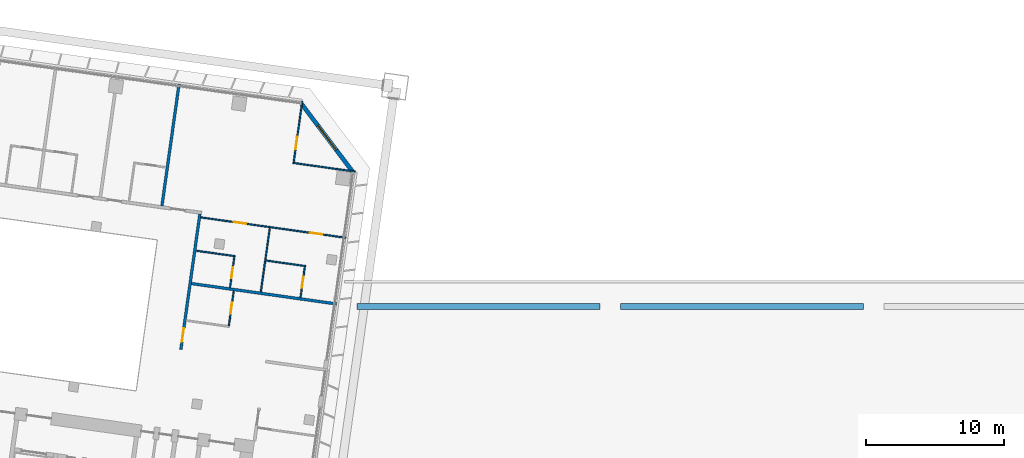
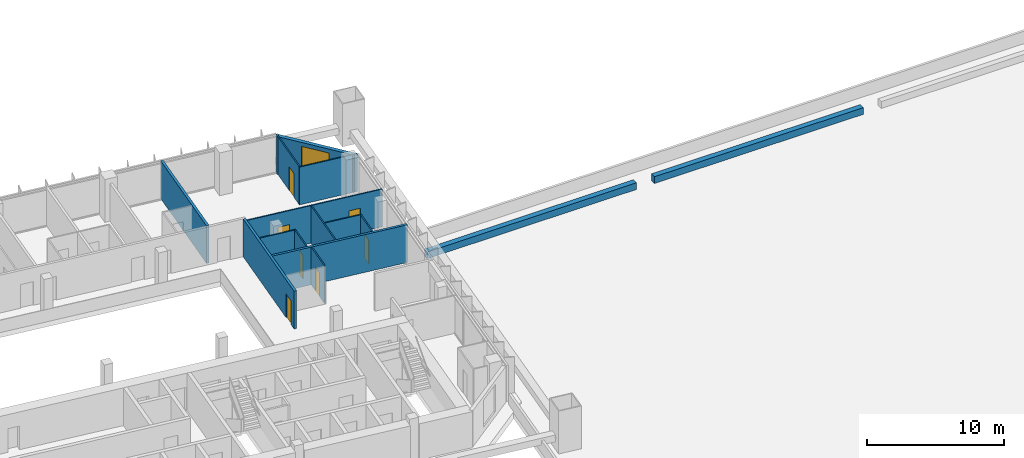
# One storey, part 31 of 46: 15 walls, 7 doors, 1 window, 8 openings.
"""IFC4 building model written with IfcOpenShell, lengths in metres."""

from ifc_helpers import new_model, si_unit, direction, frame, frame_2d, origin, place, context, subcontext, project, spatial, rectangle, extrude, material, layer, layer_set, type_object, element, fill, save


model = new_model("IFC4")

# Units and contexts
model_context = context("Model", 3, precision=1e-05, world=origin(), true_north=direction((0.0, 1.0)))
body_context = subcontext(model_context, "Body", "Model", "MODEL_VIEW")
ifc_project = project(units=[si_unit("LENGTHUNIT", "METRE"), si_unit("AREAUNIT", "SQUARE_METRE"), si_unit("VOLUMEUNIT", "CUBIC_METRE"), si_unit("PLANEANGLEUNIT", "RADIAN"), si_unit("MASSUNIT", "GRAM", prefix="KILO")], contexts=[model_context])

# Site, building, storey
site_placement = place(None, origin())
site = spatial("IfcSite", under=ifc_project, at=site_placement, CompositionType="ELEMENT")
building_placement = place(site_placement, origin())
building = spatial("IfcBuilding", under=site, at=building_placement, Name="Mirante Cascada Hotel Towers", CompositionType="ELEMENT")
storey_placement = place(building_placement, frame((0.0, 0.0, 39.5)))
storey = spatial("IfcBuildingStorey", under=building, at=storey_placement, Name="L06", CompositionType="ELEMENT", Elevation=39.5)

# Wall
ifc_material_1 = material(Name="Fire-rated plasterboard on metal studs")
ifc_layer_1 = layer(ifc_material_1, 0.2)
ifc_layer_set_1 = layer_set([ifc_layer_1], Name="Compartment wall 200 EI 120")
wall_type_1 = type_object("IfcWallType", Name="Compartment wall 200 EI 120", PredefinedType="PARTITIONING", material=ifc_layer_set_1)
wall_1_placement = place(storey_placement, frame((-29.3273, 2.7863, 0.0), z_axis=(0.0, 0.0, 1.0), x_axis=(-0.9902686, 0.1391691, 0.0)))
element("IfcWall", 1, at=wall_1_placement, inside=storey, type_object=wall_type_1, Name="Wall 1-L06-13", PredefinedType="PARTITIONING", context=body_context, shape_type="SweptSolid", body=[
    extrude(rectangle(XDim=10.6001, YDim=0.2, at=frame_2d((5.3, 0.0))), origin(), (0.0, 0.0, 1.0), 3.35),
])

# Wall, opening, door
wall_2_placement = place(storey_placement, frame((-39.2181, 9.2928, 0.0), z_axis=(0.0, 0.0, 1.0), x_axis=(-0.1391725, -0.9902682, 0.0)))
wall_2 = element("IfcWall", 2, at=wall_2_placement, inside=storey, type_object=wall_type_1, Name="Wall 1-L06-34", PredefinedType="PARTITIONING", context=body_context, shape_type="SweptSolid", body=[
    extrude(rectangle(XDim=9.8999, YDim=0.2, at=frame_2d((4.95, 0.0))), origin(), (0.0, 0.0, 1.0), 3.35),
])
opening_1_placement = place(wall_2_placement, frame((8.3333, 0.0, 0.0)))
opening_1 = element("IfcOpeningElement", 3, at=opening_1_placement, cuts=wall_2, Name="Opening D1-L06-33", PredefinedType="OPENING", context=body_context, shape_type="SweptSolid", body=[
    extrude(rectangle(XDim=1.0, YDim=2.1, at=frame_2d((0.5, 1.05))), frame((0.0, 0.1, 0.0), z_axis=(0.0, -1.0, 0.0), x_axis=(1.0, 0.0, 0.0)), (0.0, 0.0, 1.0), 0.2),
])
ifc_material_2 = material(Name="Fire-rated timber door leaf", Category="wood")
door_type_1 = type_object("IfcDoorType", Name="Entrance door DG1 1000x2100 EI 60", OperationType="SINGLE_SWING_LEFT", PredefinedType="DOOR", material=ifc_material_2)
door_1_placement = place(opening_1_placement, origin())
door_1 = element("IfcDoor", 4, at=door_1_placement, inside=storey, type_object=door_type_1, Name="Door D1-L06-33", OperationType="SINGLE_SWING_LEFT", OverallHeight=2.1, OverallWidth=1.0, PredefinedType="DOOR", context=body_context, shape_type="SweptSolid", body=[
    extrude(rectangle(XDim=1.0, YDim=2.1, at=frame_2d((0.5, 1.05))), frame((0.0, 0.025, 0.0), z_axis=(0.0, -1.0, 0.0), x_axis=(1.0, 0.0, 0.0)), (0.0, 0.0, 1.0), 0.05),
])
fill(opening_1, door_1)

# Walls
wall_3_placement = place(storey_placement, frame((-41.963, 9.8805, 0.0), z_axis=(0.0, 0.0, 1.0), x_axis=(0.1391794, 0.9902672, 0.0)))
element("IfcWall", 5, at=wall_3_placement, inside=storey, type_object=wall_type_1, Name="Wall 1-L06-35", PredefinedType="PARTITIONING", context=body_context, shape_type="SweptSolid", body=[
    extrude(rectangle(XDim=8.9, YDim=0.2, at=frame_2d((4.45, 0.0))), origin(), (0.0, 0.0, 1.0), 3.35),
])
ifc_material_3 = material(Name="Plasterboard on metal studs")
ifc_layer_2 = layer(ifc_material_3, 0.1)
ifc_layer_set_2 = layer_set([ifc_layer_2], Name="Partition 100")
wall_type_2 = type_object("IfcWallType", Name="Partition 100", PredefinedType="PARTITIONING", material=ifc_layer_set_2)
wall_4_placement = place(storey_placement, frame((-31.568, 5.5248, 0.0), z_axis=(0.0, 0.0, 1.0), x_axis=(-0.9902683, 0.1391714, 0.0)))
element("IfcWall", 6, at=wall_4_placement, inside=storey, type_object=wall_type_2, Name="Wall 1-L06-15", PredefinedType="PARTITIONING", context=body_context, shape_type="SweptSolid", body=[
    extrude(rectangle(XDim=2.9, YDim=0.1, at=frame_2d((1.45, 0.0))), origin(), (0.0, 0.0, 1.0), 3.35),
])
wall_5_placement = place(storey_placement, frame((-39.4902, 6.6381, 0.0), z_axis=(0.0, 0.0, 1.0), x_axis=(0.9902704, -0.1391564, 0.0)))
element("IfcWall", 7, at=wall_5_placement, inside=storey, type_object=wall_type_2, Name="Wall 1-L06-16", PredefinedType="PARTITIONING", context=body_context, shape_type="SweptSolid", body=[
    extrude(rectangle(XDim=2.85, YDim=0.1, at=frame_2d((1.425, 0.0))), origin(), (0.0, 0.0, 1.0), 3.35),
])

# Wall, openings, doors
wall_6_placement = place(storey_placement, frame((-28.6547, 7.5726, 0.0), z_axis=(0.0, 0.0, 1.0), x_axis=(-0.9902671, 0.1391797, 0.0)))
wall_6 = element("IfcWall", 8, at=wall_6_placement, inside=storey, type_object=wall_type_2, Name="Wall 1-L06-17", PredefinedType="PARTITIONING", context=body_context, shape_type="SweptSolid", body=[
    extrude(rectangle(XDim=10.6, YDim=0.1, at=frame_2d((5.3, 0.0))), origin(), (0.0, 0.0, 1.0), 3.35),
])
opening_2_placement = place(wall_6_placement, frame((1.725, 0.0, 0.0)))
opening_2 = element("IfcOpeningElement", 9, at=opening_2_placement, cuts=wall_6, Name="Opening D1-L06-07", PredefinedType="OPENING", context=body_context, shape_type="SweptSolid", body=[
    extrude(rectangle(XDim=0.9, YDim=2.1, at=frame_2d((0.45, 1.05))), frame((0.0, 0.05, 0.0), z_axis=(0.0, -1.0, 0.0), x_axis=(1.0, 0.0, 0.0)), (0.0, 0.0, 1.0), 0.1),
])
opening_3_placement = place(wall_6_placement, frame((7.275, 0.0, 0.0)))
opening_3 = element("IfcOpeningElement", 10, at=opening_3_placement, cuts=wall_6, Name="Opening D1-L06-08", PredefinedType="OPENING", context=body_context, shape_type="SweptSolid", body=[
    extrude(rectangle(XDim=0.9, YDim=2.1, at=frame_2d((0.45, 1.05))), frame((0.0, 0.05, 0.0), z_axis=(0.0, -1.0, 0.0), x_axis=(1.0, 0.0, 0.0)), (0.0, 0.0, 1.0), 0.1),
])
ifc_material_4 = material(Name="Timber door leaf", Category="wood")
door_type_2 = type_object("IfcDoorType", Name="Room door DG3 900x2100", OperationType="SINGLE_SWING_LEFT", PredefinedType="DOOR", material=ifc_material_4)
door_2_placement = place(opening_2_placement, frame((0.9, 0.0, 0.0), z_axis=(0.0, 0.0, 1.0), x_axis=(-1.0, 0.0, 0.0)))
door_2 = element("IfcDoor", 11, at=door_2_placement, inside=storey, type_object=door_type_2, Name="Door D1-L06-07", OperationType="SINGLE_SWING_RIGHT", OverallHeight=2.1, OverallWidth=0.9, PredefinedType="DOOR", context=body_context, shape_type="SweptSolid", body=[
    extrude(rectangle(XDim=0.9, YDim=2.1, at=frame_2d((0.45, 1.05))), frame((0.0, 0.025, 0.0), z_axis=(0.0, -1.0, 0.0), x_axis=(1.0, 0.0, 0.0)), (0.0, 0.0, 1.0), 0.05),
])
fill(opening_2, door_2)
door_3_placement = place(opening_3_placement, frame((0.9, 0.0, 0.0), z_axis=(0.0, 0.0, 1.0), x_axis=(-1.0, 0.0, 0.0)))
door_3 = element("IfcDoor", 12, at=door_3_placement, inside=storey, type_object=door_type_2, Name="Door D1-L06-08", OperationType="SINGLE_SWING_RIGHT", OverallHeight=2.1, OverallWidth=0.9, PredefinedType="DOOR", context=body_context, shape_type="SweptSolid", body=[
    extrude(rectangle(XDim=0.9, YDim=2.1, at=frame_2d((0.45, 1.05))), frame((0.0, 0.025, 0.0), z_axis=(0.0, -1.0, 0.0), x_axis=(1.0, 0.0, 0.0)), (0.0, 0.0, 1.0), 0.05),
])
fill(opening_3, door_3)

# Wall
wall_7_placement = place(storey_placement, frame((-32.4877, 12.9921, 0.0), z_axis=(0.0, 0.0, 1.0), x_axis=(0.9902691, -0.1391656, 0.0)))
element("IfcWall", 13, at=wall_7_placement, inside=storey, type_object=wall_type_2, Name="Wall 1-L06-26", PredefinedType="PARTITIONING", context=body_context, shape_type="SweptSolid", body=[
    extrude(rectangle(XDim=4.55, YDim=0.1, at=frame_2d((2.275, 0.0))), origin(), (0.0, 0.0, 1.0), 3.35),
])

# Wall, opening, door
wall_8_placement = place(storey_placement, frame((-31.6245, 5.4822, 0.0), z_axis=(0.0, 0.0, 1.0), x_axis=(-0.1391561, -0.9902705, 0.0)))
wall_8 = element("IfcWall", 14, at=wall_8_placement, inside=storey, type_object=wall_type_2, Name="Wall 1-L06-28", PredefinedType="PARTITIONING", context=body_context, shape_type="SweptSolid", body=[
    extrude(rectangle(XDim=2.25, YDim=0.1, at=frame_2d((1.125, 0.0))), origin(), (0.0, 0.0, 1.0), 3.35),
])
opening_4_placement = place(wall_8_placement, frame((0.75, 0.0, 0.0)))
opening_4 = element("IfcOpeningElement", 15, at=opening_4_placement, cuts=wall_8, Name="Opening D1-L06-28", PredefinedType="OPENING", context=body_context, shape_type="SweptSolid", body=[
    extrude(rectangle(XDim=0.8, YDim=2.1, at=frame_2d((0.4, 1.05))), frame((0.0, 0.05, 0.0), z_axis=(0.0, -1.0, 0.0), x_axis=(1.0, 0.0, 0.0)), (0.0, 0.0, 1.0), 0.1),
])
ifc_material_5 = material(Name="Timber door leaf", Category="wood")
door_type_3 = type_object("IfcDoorType", Name="Bathroom door DG4 800x2100", OperationType="SINGLE_SWING_LEFT", PredefinedType="DOOR", material=ifc_material_5)
door_4_placement = place(opening_4_placement, frame((0.8, 0.0, 0.0), z_axis=(0.0, 0.0, 1.0), x_axis=(-1.0, 0.0, 0.0)))
door_4 = element("IfcDoor", 16, at=door_4_placement, inside=storey, type_object=door_type_3, Name="Door D1-L06-28", OperationType="SINGLE_SWING_RIGHT", OverallHeight=2.1, OverallWidth=0.8, PredefinedType="DOOR", context=body_context, shape_type="SweptSolid", body=[
    extrude(rectangle(XDim=0.8, YDim=2.1, at=frame_2d((0.4, 1.05))), frame((0.0, 0.025, 0.0), z_axis=(0.0, -1.0, 0.0), x_axis=(1.0, 0.0, 0.0)), (0.0, 0.0, 1.0), 0.05),
])
fill(opening_4, door_4)

wall_9_placement = place(storey_placement, frame((-31.8119, 17.4414, 0.0), z_axis=(0.0, 0.0, 1.0), x_axis=(-0.1391684, -0.9902687, 0.0)))
wall_9 = element("IfcWall", 17, at=wall_9_placement, inside=storey, type_object=wall_type_2, Name="Wall 1-L06-30", PredefinedType="PARTITIONING", context=body_context, shape_type="SweptSolid", body=[
    extrude(rectangle(XDim=4.45, YDim=0.1, at=frame_2d((2.225, 0.0))), origin(), (0.0, 0.0, 1.0), 3.35),
])
opening_5_placement = place(wall_9_placement, frame((2.5833, 0.0, 0.0)))
opening_5 = element("IfcOpeningElement", 18, at=opening_5_placement, cuts=wall_9, Name="Opening D1-L06-30", PredefinedType="OPENING", context=body_context, shape_type="SweptSolid", body=[
    extrude(rectangle(XDim=0.9, YDim=2.1, at=frame_2d((0.45, 1.05))), frame((0.0, 0.05, 0.0), z_axis=(0.0, -1.0, 0.0), x_axis=(1.0, 0.0, 0.0)), (0.0, 0.0, 1.0), 0.1),
])
door_5_placement = place(opening_5_placement, frame((0.9, 0.0, 0.0), z_axis=(0.0, 0.0, 1.0), x_axis=(-1.0, 0.0, 0.0)))
door_5 = element("IfcDoor", 19, at=door_5_placement, inside=storey, type_object=door_type_2, Name="Door D1-L06-30", OperationType="SINGLE_SWING_RIGHT", OverallHeight=2.1, OverallWidth=0.9, PredefinedType="DOOR", context=body_context, shape_type="SweptSolid", body=[
    extrude(rectangle(XDim=0.9, YDim=2.1, at=frame_2d((0.45, 1.05))), frame((0.0, 0.025, 0.0), z_axis=(0.0, -1.0, 0.0), x_axis=(1.0, 0.0, 0.0)), (0.0, 0.0, 1.0), 0.05),
])
fill(opening_5, door_5)

# Wall
wall_10_placement = place(storey_placement, frame((-34.8094, 3.6577, 0.0), z_axis=(0.0, 0.0, 1.0), x_axis=(0.139173, 0.9902681, 0.0)))
element("IfcWall", 20, at=wall_10_placement, inside=storey, type_object=wall_type_2, Name="Wall 1-L06-31", PredefinedType="PARTITIONING", context=body_context, shape_type="SweptSolid", body=[
    extrude(rectangle(XDim=4.6834, YDim=0.1, at=frame_2d((2.3417, 0.0))), origin(), (0.0, 0.0, 1.0), 3.35),
])

# Wall, opening, door
wall_11_placement = place(storey_placement, frame((-36.7683, 3.731, 0.0), z_axis=(0.0, 0.0, 1.0), x_axis=(-0.1391809, -0.990267, 0.0)))
wall_11 = element("IfcWall", 21, at=wall_11_placement, inside=storey, type_object=wall_type_2, Name="Wall 1-L06-32", PredefinedType="PARTITIONING", context=body_context, shape_type="SweptSolid", body=[
    extrude(rectangle(XDim=2.5499, YDim=0.1, at=frame_2d((1.275, 0.0))), origin(), (0.0, 0.0, 1.0), 3.35),
])
opening_6_placement = place(wall_11_placement, frame((0.85, 0.0, 0.0)))
opening_6 = element("IfcOpeningElement", 22, at=opening_6_placement, cuts=wall_11, Name="Opening D1-L06-31", PredefinedType="OPENING", context=body_context, shape_type="SweptSolid", body=[
    extrude(rectangle(XDim=0.8, YDim=2.1, at=frame_2d((0.4, 1.05))), frame((0.0, 0.05, 0.0), z_axis=(0.0, -1.0, 0.0), x_axis=(1.0, 0.0, 0.0)), (0.0, 0.0, 1.0), 0.1),
])
door_6_placement = place(opening_6_placement, origin())
door_6 = element("IfcDoor", 23, at=door_6_placement, inside=storey, type_object=door_type_3, Name="Door D1-L06-31", OperationType="SINGLE_SWING_LEFT", OverallHeight=2.1, OverallWidth=0.8, PredefinedType="DOOR", context=body_context, shape_type="SweptSolid", body=[
    extrude(rectangle(XDim=0.8, YDim=2.1, at=frame_2d((0.4, 1.05))), frame((0.0, 0.025, 0.0), z_axis=(0.0, -1.0, 0.0), x_axis=(1.0, 0.0, 0.0)), (0.0, 0.0, 1.0), 0.05),
])
fill(opening_6, door_6)

wall_12_placement = place(storey_placement, frame((-37.0375, 3.9708, 0.0), z_axis=(0.0, 0.0, 1.0), x_axis=(0.1391561, 0.9902705, 0.0)))
wall_12 = element("IfcWall", 24, at=wall_12_placement, inside=storey, type_object=wall_type_2, Name="Wall 1-L06-33", PredefinedType="PARTITIONING", context=body_context, shape_type="SweptSolid", body=[
    extrude(rectangle(XDim=2.25, YDim=0.1, at=frame_2d((1.125, 0.0))), origin(), (0.0, 0.0, 1.0), 3.35),
])
opening_7_placement = place(wall_12_placement, frame((0.7, 0.0, 0.0)))
opening_7 = element("IfcOpeningElement", 25, at=opening_7_placement, cuts=wall_12, Name="Opening D1-L06-32", PredefinedType="OPENING", context=body_context, shape_type="SweptSolid", body=[
    extrude(rectangle(XDim=0.8, YDim=2.1, at=frame_2d((0.4, 1.05))), frame((0.0, 0.05, 0.0), z_axis=(0.0, -1.0, 0.0), x_axis=(1.0, 0.0, 0.0)), (0.0, 0.0, 1.0), 0.1),
])
door_7_placement = place(opening_7_placement, origin())
door_7 = element("IfcDoor", 26, at=door_7_placement, inside=storey, type_object=door_type_3, Name="Door D1-L06-32", OperationType="SINGLE_SWING_LEFT", OverallHeight=2.1, OverallWidth=0.8, PredefinedType="DOOR", context=body_context, shape_type="SweptSolid", body=[
    extrude(rectangle(XDim=0.8, YDim=2.1, at=frame_2d((0.4, 1.05))), frame((0.0, 0.025, 0.0), z_axis=(0.0, -1.0, 0.0), x_axis=(1.0, 0.0, 0.0)), (0.0, 0.0, 1.0), 0.05),
])
fill(opening_7, door_7)

# Walls
ifc_material_6 = material(Name="Precast concrete C40/50", Category="concrete")
ifc_layer_3 = layer(ifc_material_6, 0.45)
ifc_layer_set_3 = layer_set([ifc_layer_3], Name="Planter wall 450 concrete C40/50")
wall_type_3 = type_object("IfcWallType", Name="Planter wall 450 concrete C40/50", PredefinedType="PARAPET", material=ifc_layer_set_3)
for number, where, z_axis, x_axis, name in (
    (27, (-27.8388, 2.6, 0.0), (0.0, 0.0, 1.0), (1.0, 0.0, 0.0), "PLANTER podium L05 bed 1.1"),
    (28, (-8.7796, 2.6, 0.0), (0.0, 0.0, 1.0), (1.0, 0.0, 0.0), "PLANTER podium L05 bed 1.2"),
):
    element("IfcWall", number, at=place(storey_placement, frame(where, z_axis=z_axis, x_axis=x_axis)), inside=storey, type_object=wall_type_3, Name=name, PredefinedType="PARAPET", context=body_context, shape_type="SweptSolid", body=[
        extrude(rectangle(XDim=17.5592, YDim=0.45, at=frame_2d((8.7796, 0.0))), origin(), (0.0, 0.0, 1.0), 0.6),
    ])

# Wall, opening, window
ifc_material_7 = material(Name="Precast concrete C40/50", Category="concrete")
ifc_layer_4 = layer(ifc_material_7, 0.3)
ifc_layer_set_4 = layer_set([ifc_layer_4], Name="Precast concrete C40/50 cladding wall 300")
wall_type_4 = type_object("IfcWallType", Name="Precast concrete C40/50 cladding wall 300", PredefinedType="STANDARD", material=ifc_layer_set_4)
wall_13_placement = place(storey_placement, frame((-31.857, 17.252, 0.0), z_axis=(0.0, 0.0, 1.0), x_axis=(0.6018141, -0.7986362, 0.0)))
wall_13 = element("IfcWall", 29, at=wall_13_placement, inside=storey, type_object=wall_type_4, Name="Corner cladding wall T1 L06 front inner", PredefinedType="STANDARD", context=body_context, shape_type="SweptSolid", body=[
    extrude(rectangle(XDim=6.1157, YDim=0.3, at=frame_2d((3.0578, 0.0))), origin(), (0.0, 0.0, 1.0), 3.35),
])
opening_8_placement = place(wall_13_placement, frame((1.9578, 0.0, 0.6)))
opening_8 = element("IfcOpeningElement", 30, at=opening_8_placement, cuts=wall_13, Name="Opening W1-06-04", PredefinedType="OPENING", context=body_context, shape_type="SweptSolid", body=[
    extrude(rectangle(XDim=2.2, YDim=2.4, at=frame_2d((1.1, 1.2))), frame((0.0, 0.15, 0.0), z_axis=(0.0, -1.0, 0.0), x_axis=(1.0, 0.0, 0.0)), (0.0, 0.0, 1.0), 0.3),
])
ifc_material_8 = material(Name="Aluminium frame with clear double glazing", Category="aluminium")
window_type = type_object("IfcWindowType", Name="Corner suite window 2200x2400", PartitioningType="DOUBLE_PANEL_VERTICAL", PredefinedType="WINDOW", material=ifc_material_8)
window_placement = place(opening_8_placement, origin())
window = element("IfcWindow", 31, at=window_placement, inside=storey, type_object=window_type, Name="Window W1-06-04", OverallHeight=2.4, OverallWidth=2.2, PartitioningType="SINGLE_PANEL", PredefinedType="WINDOW", context=body_context, shape_type="SweptSolid", body=[
    extrude(rectangle(XDim=2.2, YDim=2.4, at=frame_2d((1.1, 1.2))), frame((0.0, 0.03, 0.0), z_axis=(0.0, -1.0, 0.0), x_axis=(1.0, 0.0, 0.0)), (0.0, 0.0, 1.0), 0.06),
])
fill(opening_8, window)

save(model, "model.ifc")
